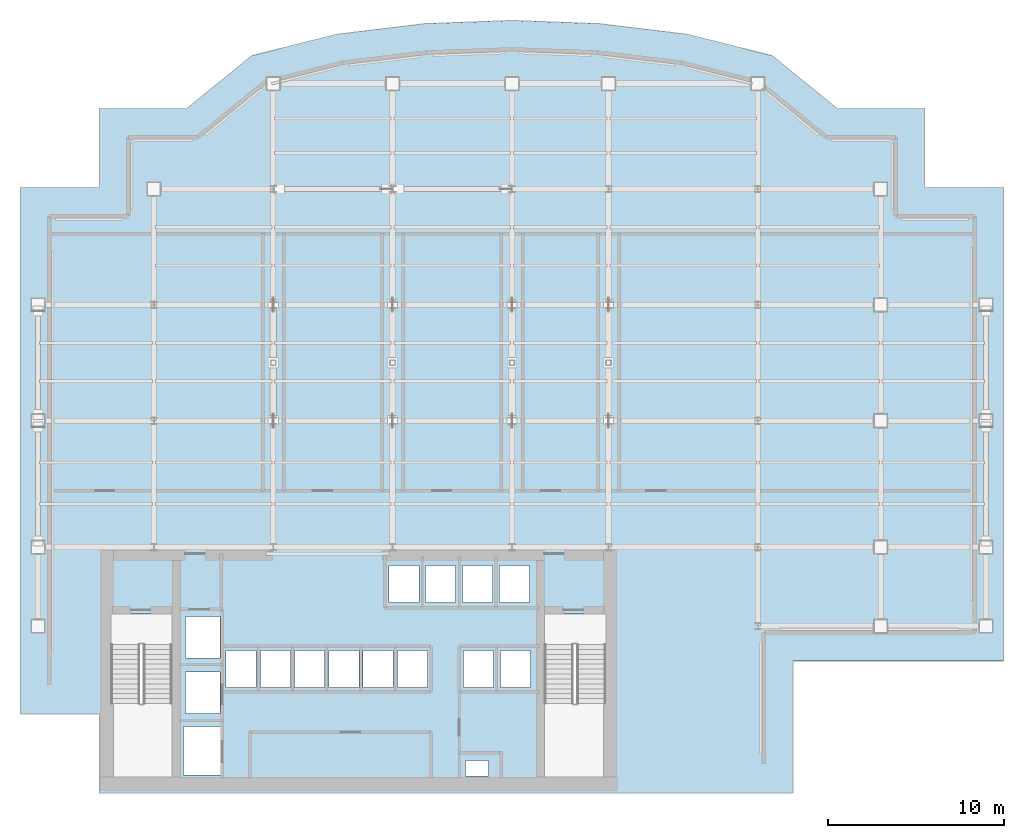
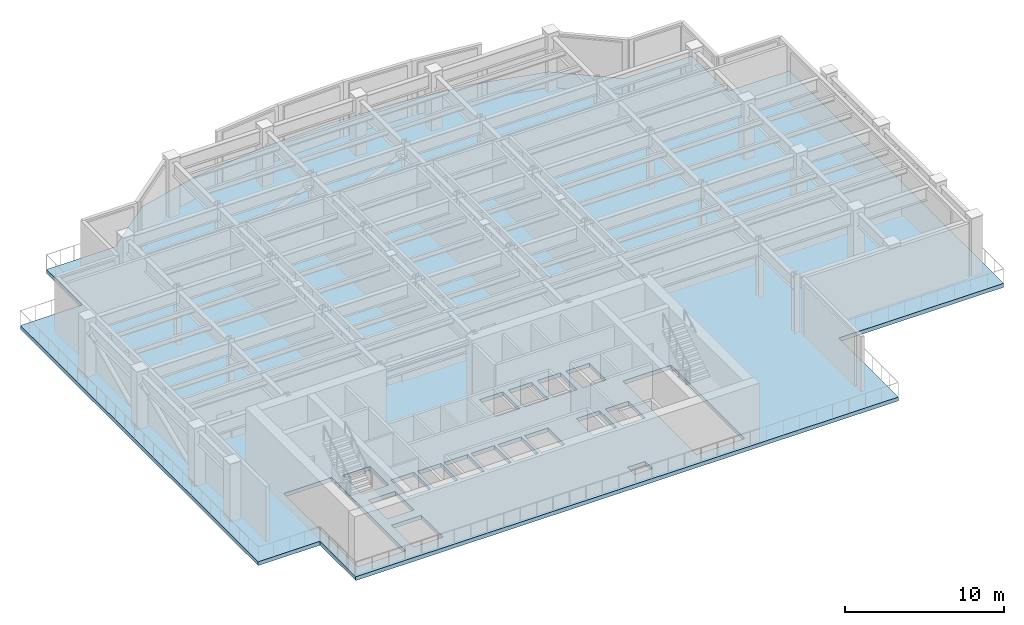
# One storey, part 5 of 12: 1 slab.
"""IFC4 building model written with IfcOpenShell, lengths in metres."""

from ifc_helpers import new_model, si_unit, derived_unit, direction, frame, origin, place, context, subcontext, project, spatial, polyline, outline, extrude, material, layer, layer_set, type_object, element, save


model = new_model("IFC4")

# Units and contexts
model_context = context("Model", 3, precision=1e-05, world=origin(), true_north=direction((0.0, 1.0)))
body_context = subcontext(model_context, "Body", "Model", "MODEL_VIEW")
ifc_project = project(units=[si_unit("LENGTHUNIT", "METRE"), si_unit("AREAUNIT", "SQUARE_METRE"), si_unit("VOLUMEUNIT", "CUBIC_METRE"), si_unit("PLANEANGLEUNIT", "RADIAN"), si_unit("MASSUNIT", "GRAM", prefix="KILO"), derived_unit("THERMALTRANSMITTANCEUNIT", [(si_unit("POWERUNIT", "WATT"), 1), (si_unit("LENGTHUNIT", "METRE"), -2), (si_unit("THERMODYNAMICTEMPERATUREUNIT", "KELVIN"), -1)])], contexts=[model_context])

# Site, building, storey
site_placement = place(None, origin())
site = spatial("IfcSite", under=ifc_project, at=site_placement, CompositionType="ELEMENT")
building_placement = place(site_placement, origin())
building = spatial("IfcBuilding", under=site, at=building_placement, Name="Skarnbrae Concourse Arena and Tower", CompositionType="ELEMENT")
storey_placement = place(building_placement, frame((0.0, 0.0, 136.10009765625)))
storey = spatial("IfcBuildingStorey", under=building, at=storey_placement, Name="L34", CompositionType="ELEMENT", Elevation=136.10009765625)

# Slab
ifc_material = material(Name="Concrete 40 MPa (C40/50)", Category="concrete")
ifc_layer = layer(ifc_material, 0.300048828125)
ifc_layer_set = layer_set([ifc_layer], Name="Concrete 40 MPa (C40/50)")
slab_type = type_object("IfcSlabType", Name="SLAB-PODIUM-300", PredefinedType="FLOOR", material=ifc_layer_set)
slab_placement = place(storey_placement, frame((0.0, 0.0, -0.300048828125)))
element("IfcSlab", 1, at=slab_placement, inside=storey, type_object=slab_type, Name="L34 Structural floor slab", PredefinedType="FLOOR", context=body_context, shape_type="SweptSolid", body=[
    extrude(outline(polyline([(4.5, 0.0), (44.0, 0.0), (44.0, 7.5), (56.0, 7.5), (56.0, 34.5), (51.5, 34.5), (51.5, 39.0), (46.5, 39.0), (42.81103515625, 41.99609375), (37.964111328125, 43.212890625), (32.998779296875, 43.81396484375), (28.0, 44.0), (23.001220703125, 43.81396484375), (18.035888671875, 43.212890625), (13.18896484375, 41.99609375), (9.5, 39.0), (4.5, 39.0), (4.5, 34.5), (0.0, 34.5), (0.0, 4.5), (4.5, 4.5), (4.5, 0.0)]), holes=[polyline([(9.294921875, 3.780029296875), (11.455078125, 3.780029296875), (11.455078125, 1.02001953125), (9.294921875, 1.02001953125), (9.294921875, 3.780029296875)]), polyline([(8.64990234375, 10.199951171875), (8.64990234375, 0.89990234375), (5.14990234375, 0.89990234375), (5.14990234375, 10.199951171875), (8.64990234375, 10.199951171875)]), polyline([(9.39501953125, 6.8798828125), (11.35498046875, 6.8798828125), (11.35498046875, 4.52001953125), (9.39501953125, 4.52001953125), (9.39501953125, 6.8798828125)]), polyline([(11.719970703125, 8.10498046875), (13.429931640625, 8.10498046875), (13.429931640625, 5.9951171875), (11.719970703125, 5.9951171875), (11.719970703125, 8.10498046875)]), polyline([(13.669921875, 8.10498046875), (15.3798828125, 8.10498046875), (15.3798828125, 5.9951171875), (13.669921875, 5.9951171875), (13.669921875, 8.10498046875)]), polyline([(15.6201171875, 8.10498046875), (17.330078125, 8.10498046875), (17.330078125, 5.9951171875), (15.6201171875, 5.9951171875), (15.6201171875, 8.10498046875)]), polyline([(17.570068359375, 8.10498046875), (19.280029296875, 8.10498046875), (19.280029296875, 5.9951171875), (17.570068359375, 5.9951171875), (17.570068359375, 8.10498046875)]), polyline([(21.22998046875, 8.10498046875), (21.22998046875, 5.9951171875), (19.52001953125, 5.9951171875), (19.52001953125, 8.10498046875), (21.22998046875, 8.10498046875)]), polyline([(11.35498046875, 10.054931640625), (11.35498046875, 7.695068359375), (9.39501953125, 7.695068359375), (9.39501953125, 10.054931640625), (11.35498046875, 10.054931640625)]), polyline([(25.35009765625, 1.85009765625), (26.64990234375, 1.85009765625), (26.64990234375, 0.949951171875), (25.35009765625, 0.949951171875), (25.35009765625, 1.85009765625)]), polyline([(33.35009765625, 10.199951171875), (33.35009765625, 0.89990234375), (29.85009765625, 0.89990234375), (29.85009765625, 10.199951171875), (33.35009765625, 10.199951171875)]), polyline([(21.469970703125, 8.10498046875), (23.179931640625, 8.10498046875), (23.179931640625, 5.9951171875), (21.469970703125, 5.9951171875), (21.469970703125, 8.10498046875)]), polyline([(25.235107421875, 8.10498046875), (26.945068359375, 8.10498046875), (26.945068359375, 5.9951171875), (25.235107421875, 5.9951171875), (25.235107421875, 8.10498046875)]), polyline([(27.3349609375, 8.10498046875), (29.044921875, 8.10498046875), (29.044921875, 5.9951171875), (27.3349609375, 5.9951171875), (27.3349609375, 8.10498046875)]), polyline([(20.985107421875, 12.955078125), (22.695068359375, 12.955078125), (22.695068359375, 10.844970703125), (20.985107421875, 10.844970703125), (20.985107421875, 12.955078125)]), polyline([(23.0849609375, 12.955078125), (24.794921875, 12.955078125), (24.794921875, 10.844970703125), (23.0849609375, 10.844970703125), (23.0849609375, 12.955078125)]), polyline([(26.89501953125, 12.955078125), (26.89501953125, 10.844970703125), (25.18505859375, 10.844970703125), (25.18505859375, 12.955078125), (26.89501953125, 12.955078125)]), polyline([(28.9951171875, 12.955078125), (28.9951171875, 10.844970703125), (27.284912109375, 10.844970703125), (27.284912109375, 12.955078125), (28.9951171875, 12.955078125)])]), origin(), (0.0, 0.0, 1.0), 0.300048828125),
])

save(model, "model.ifc")
